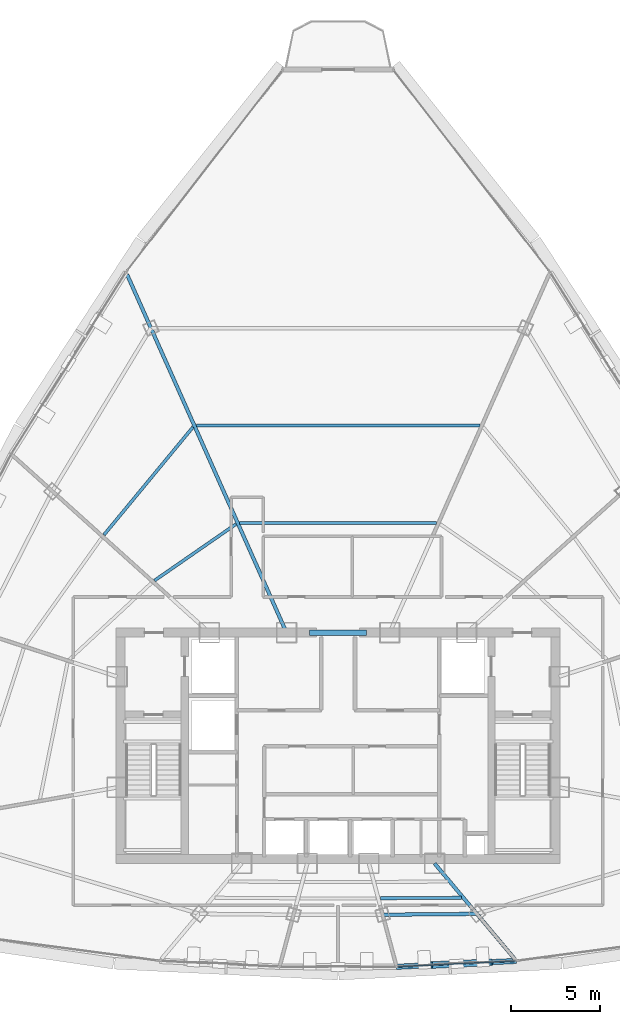
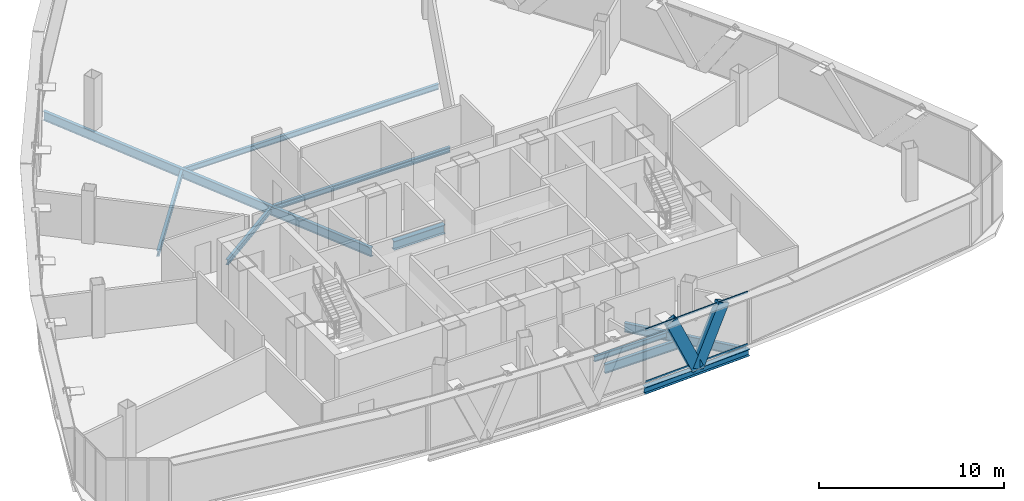
# One storey, part 10 of 27: 10 beams, 4 members, 1 element without a shape of its own.
"""IFC4 building model written with IfcOpenShell, lengths in metres."""

from ifc_helpers import new_model, si_unit, direction, frame, origin, origin_2d, place, context, subcontext, project, spatial, hollow_rectangle, i_section, extrude, source, transform, mapped, material, layer, layer_set, material_profile, profile_set, type_object, element, aggregate, save


model = new_model("IFC4")

# Units and contexts
model_context = context("Model", 3, precision=1e-05, world=origin(), true_north=direction((0.0, 1.0)))
body_context = subcontext(model_context, "Body", "Model", "MODEL_VIEW")
ifc_project = project(units=[si_unit("LENGTHUNIT", "METRE"), si_unit("AREAUNIT", "SQUARE_METRE"), si_unit("VOLUMEUNIT", "CUBIC_METRE"), si_unit("PLANEANGLEUNIT", "RADIAN"), si_unit("MASSUNIT", "GRAM", prefix="KILO"), si_unit("THERMODYNAMICTEMPERATUREUNIT", "KELVIN"), si_unit("POWERUNIT", "WATT")], contexts=[model_context])

# Site, building, storey
site_placement = place(None, origin())
site = spatial("IfcSite", under=ifc_project, at=site_placement, CompositionType="ELEMENT")
building_placement = place(site_placement, origin())
building = spatial("IfcBuilding", under=site, at=building_placement, Name="Yunzhuo Pagoda Commons", CompositionType="ELEMENT")
storey_placement = place(building_placement, frame((0.0, 0.0, 344.260009765625)))
storey = spatial("IfcBuildingStorey", under=building, at=storey_placement, Name="L86", CompositionType="ELEMENT", Elevation=344.260009765625)

# Beams
ifc_material_1 = material(Name="Structural steel Q420B", Category="steel")
ifc_material_profile_1 = material_profile(ifc_material_1, i_section(OverallWidth=0.300048828125, OverallDepth=0.587890625, WebThickness=0.011962890625, FlangeThickness=0.02001953125, at=origin_2d()), Name="Structural steel Q420B")
ifc_profile_set_1 = profile_set([ifc_material_profile_1], Name="Structural steel Q420B")
beam_type_1 = type_object("IfcBeamType", Name="B-CPL Beam HM 588x300x12x20", PredefinedType="BEAM", material=ifc_profile_set_1)
shared_shape_1 = source(origin(), body_context, "Body", "SweptSolid", [
    extrude(i_section(OverallWidth=0.300048828125, OverallDepth=0.587890625, WebThickness=0.011962890625, FlangeThickness=0.02001953125, at=origin_2d()), origin(), (0.0, 0.0, 1.0), 3.2001953125),
])
beam_1_placement = place(storey_placement, frame((46.39990234375, 40.199951171875, -0.553955078125), z_axis=(1.0, 0.0, 0.0), x_axis=(0.0, 1.0, 0.0)))
element("IfcBeam", 1, at=beam_1_placement, inside=storey, type_object=beam_type_1, Name="L86 core coupling girder", PredefinedType="BEAM", context=body_context, shape_type="MappedRepresentation", body=[
    mapped(shared_shape_1, transform((0.0, 0.0, 0.0), scale=1.0)),
])
ifc_material_2 = material(Name="Structural steel Q355B", Category="steel")
ifc_material_profile_2 = material_profile(ifc_material_2, i_section(OverallWidth=0.199951171875, OverallDepth=0.60009765625, WebThickness=0.010986328125, FlangeThickness=0.01708984375, at=origin_2d()), Name="Structural steel Q355B")
ifc_profile_set_2 = profile_set([ifc_material_profile_2], Name="Structural steel Q355B")
beam_type_2 = type_object("IfcBeamType", Name="B-RG3 Beam HN 600x200x11x17", PredefinedType="BEAM", material=ifc_profile_set_2)
shared_shape_2 = source(origin(), body_context, "Body", "SweptSolid", [
    extrude(i_section(OverallWidth=0.199951171875, OverallDepth=0.60009765625, WebThickness=0.010986328125, FlangeThickness=0.01708984375, at=origin_2d()), origin(), (0.0, 0.0, 1.0), 5.286376953125),
])
beam_2_placement = place(storey_placement, frame((50.499267578125, 24.372802734375, -0.56005859375), z_axis=(0.999957341442, 0.009236627946, 0.0), x_axis=(-0.009236627946, 0.999957341442, 0.0)))
element("IfcBeam", 2, at=beam_2_placement, inside=storey, type_object=beam_type_2, Name="L86 column-ring beam 3", PredefinedType="BEAM", context=body_context, shape_type="MappedRepresentation", body=[
    mapped(shared_shape_2, transform((0.0, 0.0, 0.0), scale=1.0)),
])
ifc_material_profile_3 = material_profile(ifc_material_2, i_section(OverallWidth=0.175048828125, OverallDepth=0.35009765625, WebThickness=0.007080078125, FlangeThickness=0.010986328125, at=origin_2d()), Name="Structural steel Q355B")
ifc_profile_set_3 = profile_set([ifc_material_profile_3], Name="Structural steel Q355B")
beam_type_3 = type_object("IfcBeamType", Name="B-JS2 Joist HN 350x175x7x11", PredefinedType="JOIST", material=ifc_profile_set_3)
shared_shape_3 = source(origin(), body_context, "Body", "SweptSolid", [
    extrude(i_section(OverallWidth=0.175048828125, OverallDepth=0.35009765625, WebThickness=0.007080078125, FlangeThickness=0.010986328125, at=origin_2d()), origin(), (0.0, 0.0, 1.0), 4.54345703125),
])
beam_3_placement = place(storey_placement, frame((50.367431640625, 25.29443359375, -0.43505859375), z_axis=(0.999975976237, 0.006931590593, 0.0), x_axis=(-0.006931590593, 0.999975976237, 0.0)))
element("IfcBeam", 3, at=beam_3_placement, inside=storey, type_object=beam_type_3, Name="L86 composite ring joist 2.3", PredefinedType="JOIST", context=body_context, shape_type="MappedRepresentation", body=[
    mapped(shared_shape_3, transform((0.0, 0.0, 0.0), scale=1.0)),
])
shared_shape_4 = source(origin(), body_context, "Body", "SweptSolid", [
    extrude(i_section(OverallWidth=0.175048828125, OverallDepth=0.35009765625, WebThickness=0.007080078125, FlangeThickness=0.010986328125, at=origin_2d()), origin(), (0.0, 0.0, 1.0), 5.556640625),
])
beam_4_placement = place(storey_placement, frame((42.273681640625, 46.28369140625, -0.43505859375), z_axis=(-0.822084621883, -0.569365326011, 0.0), x_axis=(0.569365326011, -0.822084621883, 0.0)))
element("IfcBeam", 4, at=beam_4_placement, inside=storey, type_object=beam_type_3, Name="L86 composite ring joist 1.9", PredefinedType="JOIST", context=body_context, shape_type="MappedRepresentation", body=[
    mapped(shared_shape_4, transform((0.0, 0.0, 0.0), scale=1.0)),
])
shared_shape_5 = source(origin(), body_context, "Body", "SweptSolid", [
    extrude(i_section(OverallWidth=0.175048828125, OverallDepth=0.35009765625, WebThickness=0.007080078125, FlangeThickness=0.010986328125, at=origin_2d()), origin(), (0.0, 0.0, 1.0), 7.842529296875),
])
beam_5_placement = place(storey_placement, frame((39.861328125, 51.726318359375, -0.43505859375), z_axis=(-0.636899145749, -0.770947130577, 0.0), x_axis=(0.770947130577, -0.636899145749, 0.0)))
element("IfcBeam", 5, at=beam_5_placement, inside=storey, type_object=beam_type_3, Name="L86 composite ring joist 2.9", PredefinedType="JOIST", context=body_context, shape_type="MappedRepresentation", body=[
    mapped(shared_shape_5, transform((0.0, 0.0, 0.0), scale=1.0)),
])
shared_shape_6 = source(origin(), body_context, "Body", "SweptSolid", [
    extrude(i_section(OverallWidth=0.175048828125, OverallDepth=0.35009765625, WebThickness=0.007080078125, FlangeThickness=0.010986328125, at=origin_2d()), origin(), (0.0, 0.0, 1.0), 11.03369140625),
])
beam_6_placement = place(storey_placement, frame((53.516845703125, 46.34912109375, -0.43505859375), z_axis=(-1.0, 0.0, 0.0), x_axis=(0.0, -1.0, 0.0)))
element("IfcBeam", 6, at=beam_6_placement, inside=storey, type_object=beam_type_3, Name="L86 composite ring joist 1.8", PredefinedType="JOIST", context=body_context, shape_type="MappedRepresentation", body=[
    mapped(shared_shape_6, transform((0.0, 0.0, 0.0), scale=1.0)),
])
shared_shape_7 = source(origin(), body_context, "Body", "SweptSolid", [
    extrude(i_section(OverallWidth=0.175048828125, OverallDepth=0.35009765625, WebThickness=0.007080078125, FlangeThickness=0.010986328125, at=origin_2d()), origin(), (0.0, 0.0, 1.0), 15.900390625),
])
beam_7_placement = place(storey_placement, frame((55.9501953125, 51.81494140625, -0.43505859375), z_axis=(-1.0, 0.0, 0.0), x_axis=(0.0, -1.0, 0.0)))
element("IfcBeam", 7, at=beam_7_placement, inside=storey, type_object=beam_type_3, Name="L86 composite ring joist 2.8", PredefinedType="JOIST", context=body_context, shape_type="MappedRepresentation", body=[
    mapped(shared_shape_7, transform((0.0, 0.0, 0.0), scale=1.0)),
])
shared_shape_8 = source(origin(), body_context, "Body", "SweptSolid", [
    extrude(i_section(OverallWidth=0.199951171875, OverallDepth=0.60009765625, WebThickness=0.010986328125, FlangeThickness=0.01708984375, at=origin_2d()), origin(), (0.0, 0.0, 1.0), 6.983642578125),
])
beam_8_placement = place(storey_placement, frame((57.901123046875, 21.900390625, -0.56005859375), z_axis=(-0.642800921459, 0.766033273019, 0.0), x_axis=(-0.766033273019, -0.642800921459, 0.0)))
element("IfcBeam", 8, at=beam_8_placement, inside=storey, type_object=beam_type_2, Name="L86 radial floor girder F1C4", PredefinedType="BEAM", context=body_context, shape_type="MappedRepresentation", body=[
    mapped(shared_shape_8, transform((0.0, 0.0, 0.0), scale=1.0)),
])
shared_shape_9 = source(origin(), body_context, "Body", "SweptSolid", [
    extrude(i_section(OverallWidth=0.199951171875, OverallDepth=0.60009765625, WebThickness=0.010986328125, FlangeThickness=0.01708984375, at=origin_2d()), origin(), (0.0, 0.0, 1.0), 21.975341796875),
])
beam_9_placement = place(storey_placement, frame((36.167724609375, 60.275390625, -0.56005859375), z_axis=(0.406739335942, -0.913544258697, 0.0), x_axis=(0.913544258697, 0.406739335942, 0.0)))
element("IfcBeam", 9, at=beam_9_placement, inside=storey, type_object=beam_type_2, Name="L86 radial floor girder F3C1", PredefinedType="BEAM", context=body_context, shape_type="MappedRepresentation", body=[
    mapped(shared_shape_9, transform((0.0, 0.0, 0.0), scale=1.0)),
])
ifc_material_profile_4 = material_profile(ifc_material_2, i_section(OverallWidth=0.300048828125, OverallDepth=0.43994140625, WebThickness=0.010986328125, FlangeThickness=0.01806640625, at=origin_2d()), Name="Structural steel Q355B")
ifc_profile_set_4 = profile_set([ifc_material_profile_4], Name="Structural steel Q355B")
beam_type_4 = type_object("IfcBeamType", Name="B-SP2 Beam HM 440x300x11x18", PredefinedType="BEAM", material=ifc_profile_set_4)
shared_shape_10 = source(origin(), body_context, "Body", "SweptSolid", [
    extrude(i_section(OverallWidth=0.300048828125, OverallDepth=0.43994140625, WebThickness=0.010986328125, FlangeThickness=0.01806640625, at=origin_2d()), origin(), (0.0, 0.0, 1.0), 6.727294921875),
])
beam_10_placement = place(storey_placement, frame((51.28173828125, 21.452392578125, -0.47998046875), z_axis=(0.998802682638, 0.048920355214, 0.0), x_axis=(-0.048920355214, 0.998802682638, 0.0)))
element("IfcBeam", 10, at=beam_10_placement, inside=storey, type_object=beam_type_4, Name="L86 facade edge spandrel beam F1.3", PredefinedType="BEAM", context=body_context, shape_type="MappedRepresentation", body=[
    mapped(shared_shape_10, transform((0.0, 0.0, 0.0), scale=1.0)),
])

# Members
ifc_material_profile_5 = material_profile(ifc_material_2, hollow_rectangle(XDim=0.3798828125, YDim=0.719970703125, WallThickness=0.02001953125, at=origin_2d()), Name="Structural steel Q355B")
ifc_profile_set_5 = profile_set([ifc_material_profile_5], Name="Structural steel Q355B")
member_type_1 = type_object("IfcMemberType", Name="M-DL3 Brace BOX 720x380x20", PredefinedType="BRACE", material=ifc_profile_set_5)
shared_shape_11 = source(origin(), body_context, "Body", "SweptSolid", [
    extrude(hollow_rectangle(XDim=0.3798828125, YDim=0.719970703125, WallThickness=0.02001953125, at=origin_2d()), origin(), (0.0, 0.0, 1.0), 4.10986328125),
])
for number, where, z_axis, x_axis, name in (
    (11, (54.641357421875, 21.616943359375, -0.260009765625), (-0.408750482324, -0.020018734565, 0.912426596207), (0.048916808978, -0.998802856323, 0.0), "L86 facade diamond brace F1.3L"),
    (12, (54.641357421875, 21.616943359375, -0.260009765625), (0.408701002584, 0.020019220621, 0.912448749954), (-0.048923901963, 0.998802508916, 0.0), "L86 facade diamond brace F1.3R"),
):
    element("IfcMember", number, at=place(storey_placement, frame(where, z_axis=z_axis, x_axis=x_axis)), inside=storey, type_object=member_type_1, Name=name, PredefinedType="BRACE", context=body_context, shape_type="MappedRepresentation", body=[
        mapped(shared_shape_11, transform((0.0, 0.0, 0.0), scale=1.0)),
    ])

# Curtain wall, members
ifc_material_3 = material(Name="Anodized aluminium 6063-T6", Category="aluminium")
ifc_layer = layer(ifc_material_3, 0.139892578125)
ifc_layer_set = layer_set([ifc_layer], Name="Anodized aluminium 6063-T6")
curtain_wall_type = type_object("IfcCurtainWallType", Name="CW-HI High-Zone Ribbon Curtain Wall", PredefinedType="NOTDEFINED", material=ifc_layer_set)
curtain_wall_placement = place(storey_placement, origin())
curtain_wall = element("IfcCurtainWall", 13, at=curtain_wall_placement, inside=storey, type_object=curtain_wall_type, Name="L86 curtain wall CW-L86-F1B4", PredefinedType="NOTDEFINED")
ifc_material_profile_6 = material_profile(ifc_material_3, hollow_rectangle(XDim=0.054931640625, YDim=0.1201171875, WallThickness=0.00341796875, at=origin_2d()), Name="Anodized aluminium 6063-T6")
ifc_profile_set_6 = profile_set([ifc_material_profile_6], Name="Anodized aluminium 6063-T6")
member_type_2 = type_object("IfcMemberType", Name="CW-HI-T Transom RHS 120x55x3.5", PredefinedType="USERDEFINED", material=ifc_profile_set_6)
shared_shape_12 = source(origin(), body_context, "Body", "SweptSolid", [
    extrude(hollow_rectangle(XDim=0.054931640625, YDim=0.1201171875, WallThickness=0.00341796875, at=origin_2d()), origin(), (0.0, 0.0, 1.0), 6.607177734375),
])
member_1_placement = place(storey_placement, frame((51.341552734375, 21.455322265625, 0.027587890625), z_axis=(0.998800788533, 0.048959011683, 0.0), x_axis=(-0.048959011683, 0.998800788533, 0.0)))
member_1 = element("IfcMember", 14, at=member_1_placement, type_object=member_type_2, Name="CW transom 1.1", ObjectType="TRANSOM", PredefinedType="USERDEFINED", context=body_context, shape_type="MappedRepresentation", body=[
    mapped(shared_shape_12, transform((0.0, 0.0, 0.0), scale=1.0)),
])
member_2_placement = place(storey_placement, frame((51.341552734375, 21.455322265625, 3.46240234375), z_axis=(0.998800788533, 0.048959011683, 0.0), x_axis=(-0.048959011683, 0.998800788533, 0.0)))
member_2 = element("IfcMember", 15, at=member_2_placement, type_object=member_type_2, Name="CW transom 1.2", ObjectType="TRANSOM", PredefinedType="USERDEFINED", context=body_context, shape_type="MappedRepresentation", body=[
    mapped(shared_shape_12, transform((0.0, 0.0, 0.0), scale=1.0)),
])
aggregate(curtain_wall, [member_1, member_2])

save(model, "model.ifc")
